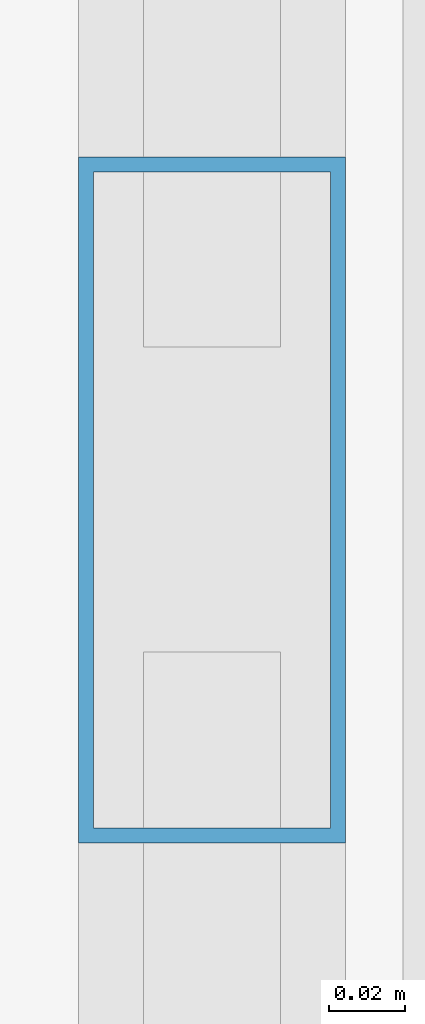
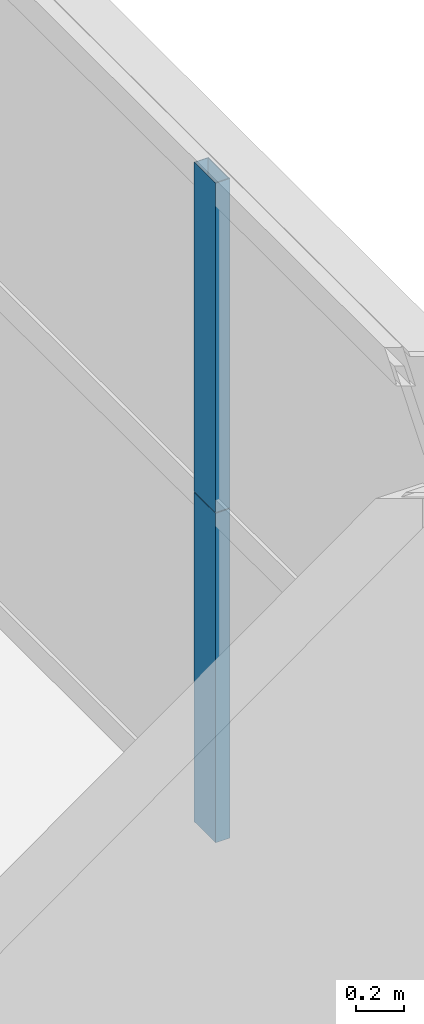
# One storey, part 31 of 42: 2 members, 1 element without a shape of its own.
"""IFC4 building model written with IfcOpenShell, lengths in metres."""

from ifc_helpers import new_model, si_unit, direction, frame, origin, origin_2d, place, context, subcontext, project, spatial, hollow_rectangle, extrude, source, transform, mapped, material, layer, layer_set, material_profile, profile_set, type_object, element, aggregate, save


model = new_model("IFC4")

# Units and contexts
model_context = context("Model", 3, precision=1e-05, world=origin(), true_north=direction((0.0, 1.0)))
body_context = subcontext(model_context, "Body", "Model", "MODEL_VIEW")
ifc_project = project(units=[si_unit("LENGTHUNIT", "METRE"), si_unit("AREAUNIT", "SQUARE_METRE"), si_unit("VOLUMEUNIT", "CUBIC_METRE"), si_unit("PLANEANGLEUNIT", "RADIAN"), si_unit("MASSUNIT", "GRAM", prefix="KILO"), si_unit("THERMODYNAMICTEMPERATUREUNIT", "KELVIN"), si_unit("POWERUNIT", "WATT")], contexts=[model_context])

# Site, building, storey
site_placement = place(None, origin())
site = spatial("IfcSite", under=ifc_project, at=site_placement, CompositionType="ELEMENT")
building_placement = place(site_placement, origin())
building = spatial("IfcBuilding", under=site, at=building_placement, Name="Yuzanri Waterfront Tower", CompositionType="ELEMENT")
storey_placement = place(building_placement, frame((0.0, 0.0, 145.199951171875)))
storey = spatial("IfcBuildingStorey", under=building, at=storey_placement, Name="L38", CompositionType="ELEMENT", Elevation=145.199951171875)

# Curtain wall, members
ifc_material_1 = material(Name="Anodized Architectural Bronze", Category="metal")
ifc_layer = layer(ifc_material_1, 0.159912109375)
ifc_layer_set = layer_set([ifc_layer], Name="Anodized Architectural Bronze")
curtain_wall_type = type_object("IfcCurtainWallType", Name="Anodized Bronze Hotel Upper-Tier Solar-Control Unitized Curtain Wall 7800", PredefinedType="NOTDEFINED", material=ifc_layer_set)
curtain_wall_placement = place(storey_placement, origin())
curtain_wall = element("IfcCurtainWall", 1, at=curtain_wall_placement, inside=storey, type_object=curtain_wall_type, Name="L38 Curtain Wall CW-L38-ER", PredefinedType="NOTDEFINED")
ifc_material_2 = material(Name="Anodized Architectural Bronze", Category="metal")
ifc_material_profile = material_profile(ifc_material_2, hollow_rectangle(XDim=0.070068359375, YDim=0.179931640625, WallThickness=0.00390625, at=origin_2d()), Name="CWM 70x180")
ifc_profile_set = profile_set([ifc_material_profile], Name="Anodized Architectural Bronze")
member_type = type_object("IfcMemberType", Name="Anodized Bronze Standard Curtain-Wall Mullion 70x180", PredefinedType="MULLION", material=ifc_profile_set)
shared_shape = source(origin(), body_context, "Body", "SweptSolid", [
    extrude(hollow_rectangle(XDim=0.070068359375, YDim=0.179931640625, WallThickness=0.00390625, at=origin_2d()), origin(), (0.0, 0.0, 1.0), 1.68798828125),
])
member_1_placement = place(storey_placement, frame((60.449951171875, 34.14990234375, 0.0), z_axis=(0.0, 0.0, 1.0), x_axis=(1.0, 0.0, 0.0)))
member_1 = element("IfcMember", 2, at=member_1_placement, type_object=member_type, Name="CW-L38-ER Lower Mullion 01", PredefinedType="MULLION", context=body_context, shape_type="MappedRepresentation", body=[
    mapped(shared_shape, transform((0.0, 0.0, 0.0), scale=1.0)),
])
member_2_placement = place(storey_placement, frame((60.449951171875, 34.14990234375, 1.692138671875), z_axis=(0.0, 0.0, 1.0), x_axis=(1.0, 0.0, 0.0)))
member_2 = element("IfcMember", 3, at=member_2_placement, type_object=member_type, Name="CW-L38-ER Upper Mullion 01", PredefinedType="MULLION", context=body_context, shape_type="MappedRepresentation", body=[
    mapped(shared_shape, transform((0.0, 0.0, 0.0), scale=1.0)),
])
aggregate(curtain_wall, [member_1, member_2])

save(model, "model.ifc")
